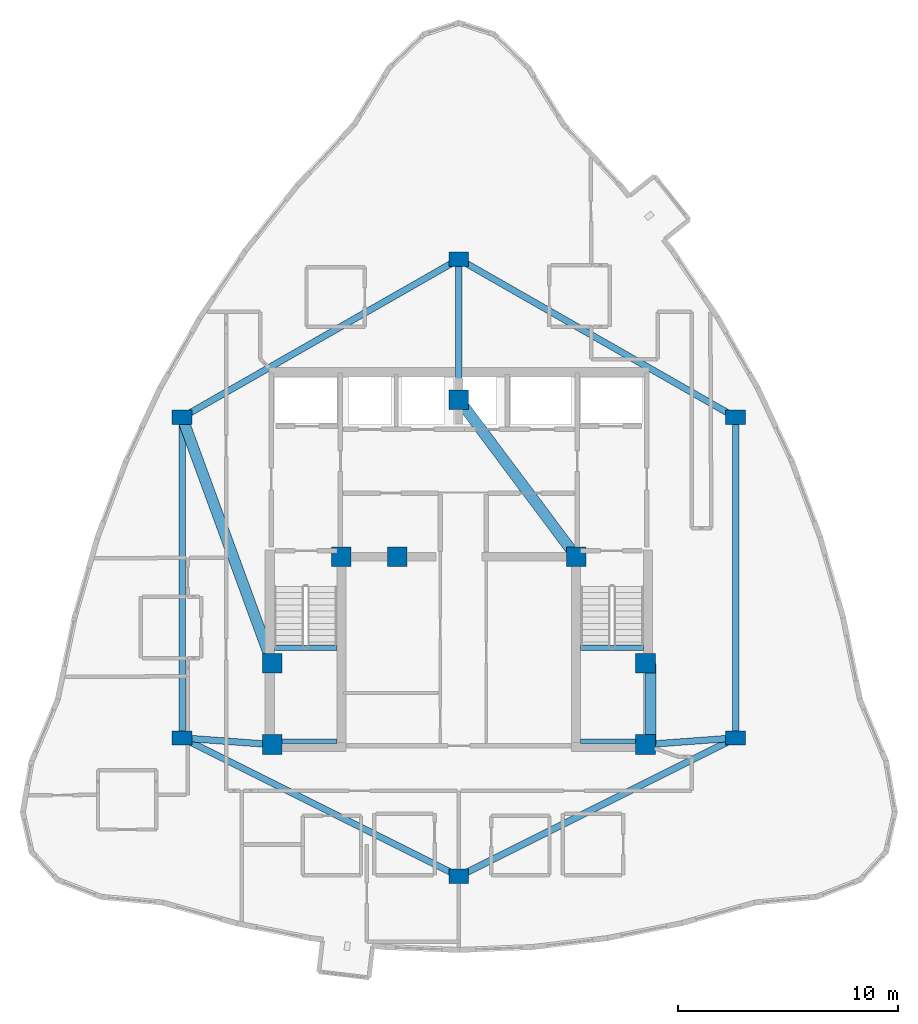
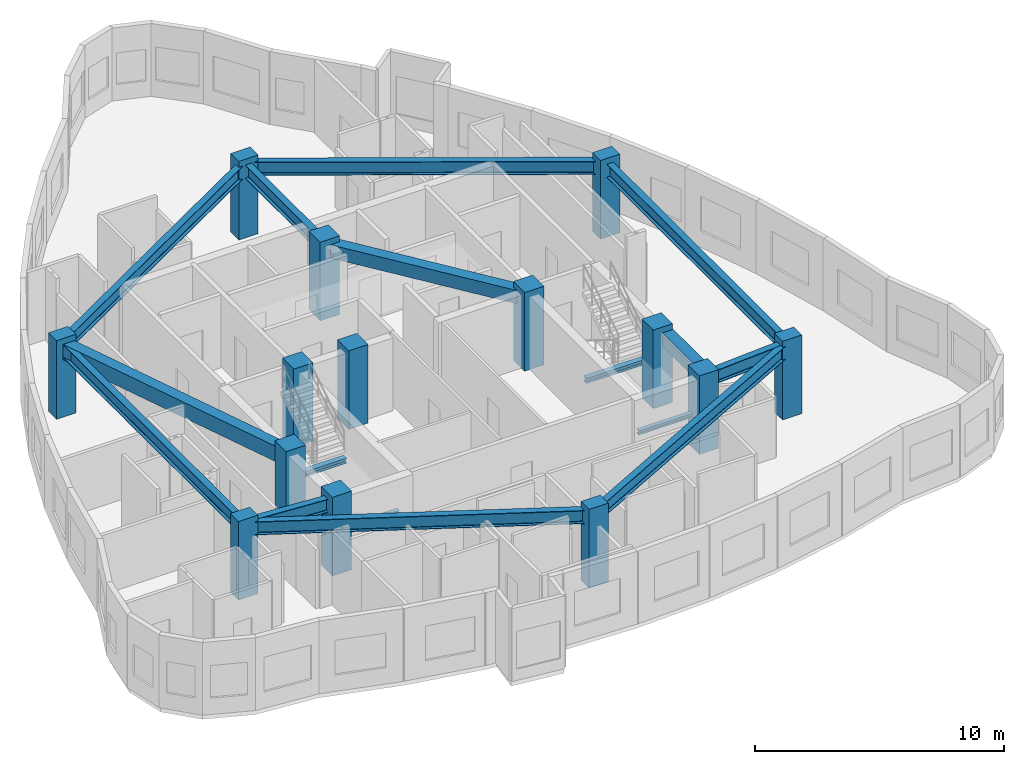
# One storey, part 1 of 13: 16 beams, 14 columns.
"""IFC4 building model written with IfcOpenShell, lengths in metres."""

from ifc_helpers import new_model, si_unit, direction, frame, origin, origin_2d, place, context, subcontext, project, spatial, rectangle, i_section, extrude, material, material_profile, profile_set, type_object, element, save


model = new_model("IFC4")

# Units and contexts
model_context = context("Model", 3, precision=1e-05, world=origin(), true_north=direction((0.0, 1.0)))
body_context = subcontext(model_context, "Body", "Model", "MODEL_VIEW")
ifc_project = project(units=[si_unit("LENGTHUNIT", "METRE"), si_unit("AREAUNIT", "SQUARE_METRE"), si_unit("VOLUMEUNIT", "CUBIC_METRE"), si_unit("PLANEANGLEUNIT", "RADIAN"), si_unit("MASSUNIT", "GRAM", prefix="KILO")], contexts=[model_context])

# Site, building, storey
site_placement = place(None, origin())
site = spatial("IfcSite", under=ifc_project, at=site_placement, CompositionType="ELEMENT")
building_placement = place(site_placement, origin())
building = spatial("IfcBuilding", under=site, at=building_placement, Name="Miruveldt Soraemaru", CompositionType="ELEMENT")
storey_placement = place(building_placement, frame((0.0, 0.0, 252.0)))
storey = spatial("IfcBuildingStorey", under=building, at=storey_placement, Name="L69", CompositionType="ELEMENT", Elevation=252.0)

# Columns
ifc_material_1 = material(Name="Concrete C50/60 (50 MPa)", Category="concrete")
ifc_material_profile_1 = material_profile(ifc_material_1, rectangle(XDim=0.89990234375, YDim=0.89990234375, at=origin_2d()), Name="Concrete C50/60 (50 MPa)", Category="concrete")
ifc_profile_set_1 = profile_set([ifc_material_profile_1], Name="Concrete C50/60 (50 MPa)")
column_type_1 = type_object("IfcColumnType", Name="COL-CORE-900", PredefinedType="COLUMN", material=ifc_profile_set_1)
for number, where, z_axis, x_axis, name in (
    (1, (35.5, 35.5, 0.0), (0.0, 0.0, 1.0), (1.0, 0.0, 0.0), "L69 Structural Column CC1"),
    (2, (38.64990234375, 44.050048828125, 0.0), (0.0, 0.0, 1.0), (1.0, 0.0, 0.0), "L69 Structural Column CC2"),
    (3, (52.5, 35.5, 0.0), (0.0, 0.0, 1.0), (1.0, 0.0, 0.0), "L69 Structural Column CC3"),
    (4, (52.5, 39.199951171875, 0.0), (0.0, 0.0, 1.0), (1.0, 0.0, 0.0), "L69 Structural Column CC4"),
    (5, (49.35009765625, 44.050048828125, 0.0), (0.0, 0.0, 1.0), (1.0, 0.0, 0.0), "L69 Structural Column CC5"),
    (6, (44.0, 51.199951171875, 0.0), (0.0, 0.0, 1.0), (1.0, 0.0, 0.0), "L69 Structural Column CC6"),
    (7, (35.5, 39.199951171875, 0.0), (0.0, 0.0, 1.0), (1.0, 0.0, 0.0), "L69 Structural Column CC7"),
    (8, (41.199951171875, 44.050048828125, 0.0), (0.0, 0.0, 1.0), (1.0, 0.0, 0.0), "L69 Structural Column CC8"),
):
    element("IfcColumn", number, at=place(storey_placement, frame(where, z_axis=z_axis, x_axis=x_axis)), inside=storey, type_object=column_type_1, Name=name, PredefinedType="COLUMN", context=body_context, shape_type="SweptSolid", body=[
        extrude(rectangle(XDim=0.89990234375, YDim=0.89990234375, at=origin_2d()), origin(), (0.0, 0.0, 1.0), 3.85009765625),
    ])
ifc_material_profile_2 = material_profile(ifc_material_1, rectangle(XDim=0.89990234375, YDim=0.64990234375, at=origin_2d()), Name="Concrete C50/60 (50 MPa)", Category="concrete")
ifc_profile_set_2 = profile_set([ifc_material_profile_2], Name="Concrete C50/60 (50 MPa)")
column_type_2 = type_object("IfcColumnType", Name="COL-TW-Z4", PredefinedType="COLUMN", material=ifc_profile_set_2)
for number, where, z_axis, x_axis, name in (
    (9, (44.0, 57.60009765625, 0.0), (0.0, 0.0, 1.0), (1.0, 0.0, 0.0), "L69 Structural Column IR01"),
    (10, (56.60009765625, 50.39990234375, 0.0), (0.0, 0.0, 1.0), (1.0, 0.0, 0.0), "L69 Structural Column IR02"),
    (11, (56.60009765625, 35.800048828125, 0.0), (0.0, 0.0, 1.0), (1.0, 0.0, 0.0), "L69 Structural Column IR03"),
    (12, (44.0, 29.5, 0.0), (0.0, 0.0, 1.0), (1.0, 0.0, 0.0), "L69 Structural Column IR04"),
    (13, (31.39990234375, 35.800048828125, 0.0), (0.0, 0.0, 1.0), (1.0, 0.0, 0.0), "L69 Structural Column IR05"),
    (14, (31.39990234375, 50.39990234375, 0.0), (0.0, 0.0, 1.0), (1.0, 0.0, 0.0), "L69 Structural Column IR06"),
):
    element("IfcColumn", number, at=place(storey_placement, frame(where, z_axis=z_axis, x_axis=x_axis)), inside=storey, type_object=column_type_2, Name=name, PredefinedType="COLUMN", context=body_context, shape_type="SweptSolid", body=[
        extrude(rectangle(XDim=0.89990234375, YDim=0.64990234375, at=origin_2d()), origin(), (0.0, 0.0, 1.0), 3.85009765625),
    ])

# Beams
ifc_material_profile_3 = material_profile(ifc_material_1, rectangle(XDim=0.5, YDim=0.64990234375, at=origin_2d()), Name="Concrete C50/60 (50 MPa)", Category="concrete")
ifc_profile_set_3 = profile_set([ifc_material_profile_3], Name="Concrete C50/60 (50 MPa)")
beam_type_1 = type_object("IfcBeamType", Name="BM-RC-500x650", PredefinedType="BEAM", material=ifc_profile_set_3)
beam_1_placement = place(storey_placement, frame((52.72998046875, 35.5, 3.239990234375), z_axis=(0.0, 1.0, 0.0), x_axis=(-1.0, 0.0, 0.0)))
element("IfcBeam", 15, at=beam_1_placement, inside=storey, type_object=beam_type_1, Name="L69 Core Tie Beam 3", PredefinedType="BEAM", context=body_context, shape_type="SweptSolid", body=[
    extrude(rectangle(XDim=0.5, YDim=0.64990234375, at=origin_2d()), origin(), (0.0, 0.0, 1.0), 3.699951171875),
])
beam_2_placement = place(storey_placement, frame((49.35009765625, 44.050048828125, 3.239990234375), z_axis=(-0.599116023999, 0.800662219533, 0.0), x_axis=(-0.800662219533, -0.599116023999, 0.0)))
element("IfcBeam", 16, at=beam_2_placement, inside=storey, type_object=beam_type_1, Name="L69 Core Tie Beam 5", PredefinedType="BEAM", context=body_context, shape_type="SweptSolid", body=[
    extrude(rectangle(XDim=0.5, YDim=0.64990234375, at=origin_2d()), origin(), (0.0, 0.0, 1.0), 8.929931640625),
])
ifc_material_2 = material(Name="Concrete C40/50 (40 MPa)", Category="concrete")
ifc_material_profile_4 = material_profile(ifc_material_2, rectangle(XDim=0.5, YDim=0.75, at=origin_2d()), Name="Concrete C40/50 (40 MPa)", Category="concrete")
ifc_profile_set_4 = profile_set([ifc_material_profile_4], Name="Concrete C40/50 (40 MPa)")
beam_type_2 = type_object("IfcBeamType", Name="BM-RC-500x750", PredefinedType="LINTEL", material=ifc_profile_set_4)
beam_3_placement = place(storey_placement, frame((31.39990234375, 50.39990234375, 3.18994140625), z_axis=(0.343770424598, -0.939053723262, 0.0), x_axis=(0.939053723262, 0.343770424598, 0.0)))
element("IfcBeam", 17, at=beam_3_placement, inside=storey, type_object=beam_type_2, Name="L69 West Lobby Lintel", PredefinedType="LINTEL", context=body_context, shape_type="SweptSolid", body=[
    extrude(rectangle(XDim=0.5, YDim=0.75, at=origin_2d()), origin(), (0.0, 0.0, 1.0), 11.9267578125),
])
ifc_material_3 = material(Name="Steel SM355 (355 MPa)", Category="steel")
ifc_material_profile_5 = material_profile(ifc_material_3, i_section(OverallWidth=0.300048828125, OverallDepth=0.64990234375, WebThickness=0.012939453125, FlangeThickness=0.02197265625, FilletRadius=0.02587890625, at=origin_2d()), Name="Steel SM355 (355 MPa)", Category="steel")
ifc_profile_set_5 = profile_set([ifc_material_profile_5], Name="Steel SM355 (355 MPa)")
beam_type_3 = type_object("IfcBeamType", Name="BM-ST-H650", PredefinedType="BEAM", material=ifc_profile_set_5)
beam_4_placement = place(storey_placement, frame((44.0, 57.60009765625, 3.239990234375), z_axis=(0.868239001029, -0.496146185203, 0.0), x_axis=(0.496146185203, 0.868239001029, 0.0)))
element("IfcBeam", 18, at=beam_4_placement, inside=storey, type_object=beam_type_3, Name="L69 Inner Ring Girder 1", PredefinedType="BEAM", context=body_context, shape_type="SweptSolid", body=[
    extrude(i_section(OverallWidth=0.300048828125, OverallDepth=0.64990234375, WebThickness=0.012939453125, FlangeThickness=0.02197265625, FilletRadius=0.02587890625, at=origin_2d()), origin(), (0.0, 0.0, 1.0), 14.51220703125),
])
beam_5_placement = place(storey_placement, frame((44.0, 51.199951171875, 3.239990234375), z_axis=(0.0, 1.0, 0.0), x_axis=(-1.0, 0.0, 0.0)))
element("IfcBeam", 19, at=beam_5_placement, inside=storey, type_object=beam_type_3, Name="L69 Core-to-Inner Radial Girder 1", PredefinedType="BEAM", context=body_context, shape_type="SweptSolid", body=[
    extrude(i_section(OverallWidth=0.300048828125, OverallDepth=0.64990234375, WebThickness=0.012939453125, FlangeThickness=0.02197265625, FilletRadius=0.02587890625, at=origin_2d()), origin(), (0.0, 0.0, 1.0), 6.400146484375),
])
beam_6_placement = place(storey_placement, frame((56.60009765625, 50.39990234375, 3.239990234375), z_axis=(0.0, -1.0, 0.0), x_axis=(1.0, 0.0, 0.0)))
element("IfcBeam", 20, at=beam_6_placement, inside=storey, type_object=beam_type_3, Name="L69 Inner Ring Girder 2", PredefinedType="BEAM", context=body_context, shape_type="SweptSolid", body=[
    extrude(i_section(OverallWidth=0.300048828125, OverallDepth=0.64990234375, WebThickness=0.012939453125, FlangeThickness=0.02197265625, FilletRadius=0.02587890625, at=origin_2d()), origin(), (0.0, 0.0, 1.0), 14.599853515625),
])
beam_7_placement = place(storey_placement, frame((56.60009765625, 35.800048828125, 3.239990234375), z_axis=(-0.894427191, -0.4472135955, 0.0), x_axis=(0.4472135955, -0.894427191, 0.0)))
element("IfcBeam", 21, at=beam_7_placement, inside=storey, type_object=beam_type_3, Name="L69 Inner Ring Girder 3", PredefinedType="BEAM", context=body_context, shape_type="SweptSolid", body=[
    extrude(i_section(OverallWidth=0.300048828125, OverallDepth=0.64990234375, WebThickness=0.012939453125, FlangeThickness=0.02197265625, FilletRadius=0.02587890625, at=origin_2d()), origin(), (0.0, 0.0, 1.0), 14.08740234375),
])
beam_8_placement = place(storey_placement, frame((52.5, 35.5, 3.239990234375), z_axis=(0.997332985605, 0.072985723431, 0.0), x_axis=(-0.072985723431, 0.997332985605, 0.0)))
element("IfcBeam", 22, at=beam_8_placement, inside=storey, type_object=beam_type_3, Name="L69 Core-to-Inner Radial Girder 3", PredefinedType="BEAM", context=body_context, shape_type="SweptSolid", body=[
    extrude(i_section(OverallWidth=0.300048828125, OverallDepth=0.64990234375, WebThickness=0.012939453125, FlangeThickness=0.02197265625, FilletRadius=0.02587890625, at=origin_2d()), origin(), (0.0, 0.0, 1.0), 4.111083984375),
])
beam_9_placement = place(storey_placement, frame((44.0, 29.5, 3.239990234375), z_axis=(-0.894427191, 0.4472135955, 0.0), x_axis=(-0.4472135955, -0.894427191, 0.0)))
element("IfcBeam", 23, at=beam_9_placement, inside=storey, type_object=beam_type_3, Name="L69 Inner Ring Girder 4", PredefinedType="BEAM", context=body_context, shape_type="SweptSolid", body=[
    extrude(i_section(OverallWidth=0.300048828125, OverallDepth=0.64990234375, WebThickness=0.012939453125, FlangeThickness=0.02197265625, FilletRadius=0.02587890625, at=origin_2d()), origin(), (0.0, 0.0, 1.0), 14.08740234375),
])
beam_10_placement = place(storey_placement, frame((31.39990234375, 35.800048828125, 3.239990234375), z_axis=(0.0, 1.0, 0.0), x_axis=(-1.0, 0.0, 0.0)))
element("IfcBeam", 24, at=beam_10_placement, inside=storey, type_object=beam_type_3, Name="L69 Inner Ring Girder 5", PredefinedType="BEAM", context=body_context, shape_type="SweptSolid", body=[
    extrude(i_section(OverallWidth=0.300048828125, OverallDepth=0.64990234375, WebThickness=0.012939453125, FlangeThickness=0.02197265625, FilletRadius=0.02587890625, at=origin_2d()), origin(), (0.0, 0.0, 1.0), 14.599853515625),
])
beam_11_placement = place(storey_placement, frame((35.5, 35.5, 3.239990234375), z_axis=(-0.997332985605, 0.072985723431, 0.0), x_axis=(-0.072985723431, -0.997332985605, 0.0)))
element("IfcBeam", 25, at=beam_11_placement, inside=storey, type_object=beam_type_3, Name="L69 Core-to-Inner Radial Girder 5", PredefinedType="BEAM", context=body_context, shape_type="SweptSolid", body=[
    extrude(i_section(OverallWidth=0.300048828125, OverallDepth=0.64990234375, WebThickness=0.012939453125, FlangeThickness=0.02197265625, FilletRadius=0.02587890625, at=origin_2d()), origin(), (0.0, 0.0, 1.0), 4.111083984375),
])
beam_12_placement = place(storey_placement, frame((31.39990234375, 50.39990234375, 3.239990234375), z_axis=(0.868239001029, 0.496146185203, 0.0), x_axis=(-0.496146185203, 0.868239001029, 0.0)))
element("IfcBeam", 26, at=beam_12_placement, inside=storey, type_object=beam_type_3, Name="L69 Inner Ring Girder 6", PredefinedType="BEAM", context=body_context, shape_type="SweptSolid", body=[
    extrude(i_section(OverallWidth=0.300048828125, OverallDepth=0.64990234375, WebThickness=0.012939453125, FlangeThickness=0.02197265625, FilletRadius=0.02587890625, at=origin_2d()), origin(), (0.0, 0.0, 1.0), 14.51220703125),
])
ifc_material_profile_6 = material_profile(ifc_material_3, i_section(OverallWidth=0.199951171875, OverallDepth=0.199951171875, WebThickness=0.008056640625, FlangeThickness=0.011962890625, FilletRadius=0.012939453125, at=origin_2d()), Name="Steel SM355 (355 MPa)", Category="steel")
ifc_profile_set_6 = profile_set([ifc_material_profile_6], Name="Steel SM355 (355 MPa)")
beam_type_4 = type_object("IfcBeamType", Name="BM-ST-LND200", PredefinedType="BEAM", material=ifc_profile_set_6)
for number, where, z_axis, x_axis, name in (
    (27, (35.60009765625, 35.64990234375, 1.625), (1.0, 0.0, 0.0), (0.0, 1.0, 0.0), "L69 ST1 Landing End Beam 1B"),
    (28, (49.550048828125, 35.64990234375, 1.625), (1.0, 0.0, 0.0), (0.0, 1.0, 0.0), "L69 ST2 Landing End Beam 1B"),
):
    element("IfcBeam", number, at=place(storey_placement, frame(where, z_axis=z_axis, x_axis=x_axis)), inside=storey, type_object=beam_type_4, Name=name, PredefinedType="BEAM", context=body_context, shape_type="SweptSolid", body=[
        extrude(i_section(OverallWidth=0.199951171875, OverallDepth=0.199951171875, WebThickness=0.008056640625, FlangeThickness=0.011962890625, FilletRadius=0.012939453125, at=origin_2d()), origin(), (0.0, 0.0, 1.0), 2.849853515625),
    ])
ifc_material_profile_7 = material_profile(ifc_material_3, i_section(OverallWidth=0.25, OverallDepth=0.25, WebThickness=0.009033203125, FlangeThickness=0.013916015625, FilletRadius=0.01611328125, at=origin_2d()), Name="Steel SM355 (355 MPa)", Category="steel")
ifc_profile_set_7 = profile_set([ifc_material_profile_7], Name="Steel SM355 (355 MPa)")
beam_type_5 = type_object("IfcBeamType", Name="BM-ST-LND250", PredefinedType="BEAM", material=ifc_profile_set_7)
for number, where, z_axis, x_axis, name in (
    (29, (35.60009765625, 39.89990234375, 1.60009765625), (1.0, 0.0, 0.0), (0.0, 1.0, 0.0), "L69 ST1 Landing Support Beam 1A"),
    (30, (49.550048828125, 39.89990234375, 1.60009765625), (1.0, 0.0, 0.0), (0.0, 1.0, 0.0), "L69 ST2 Landing Support Beam 1A"),
):
    element("IfcBeam", number, at=place(storey_placement, frame(where, z_axis=z_axis, x_axis=x_axis)), inside=storey, type_object=beam_type_5, Name=name, PredefinedType="BEAM", context=body_context, shape_type="SweptSolid", body=[
        extrude(i_section(OverallWidth=0.25, OverallDepth=0.25, WebThickness=0.009033203125, FlangeThickness=0.013916015625, FilletRadius=0.01611328125, at=origin_2d()), origin(), (0.0, 0.0, 1.0), 2.849853515625),
    ])

save(model, "model.ifc")
